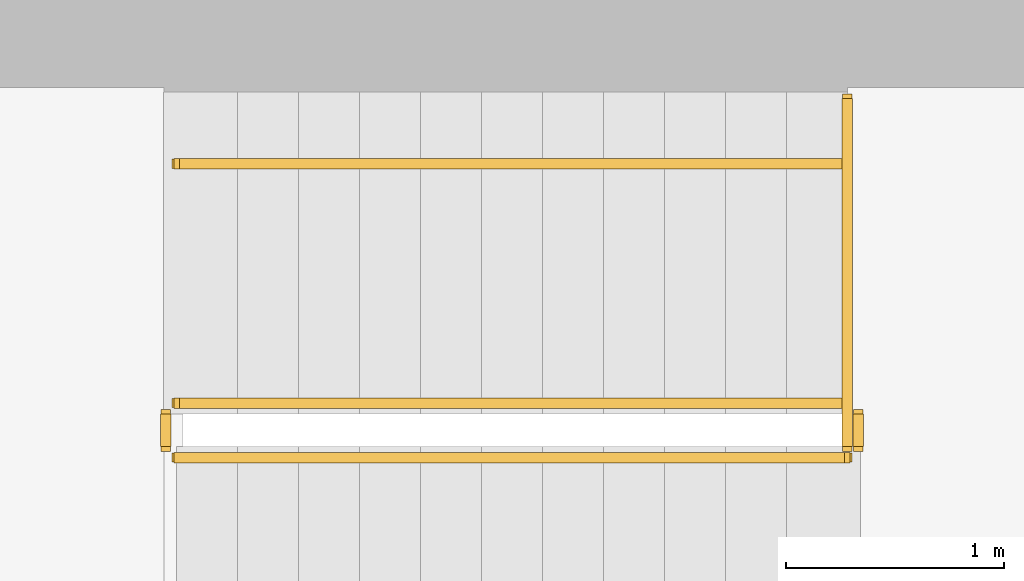
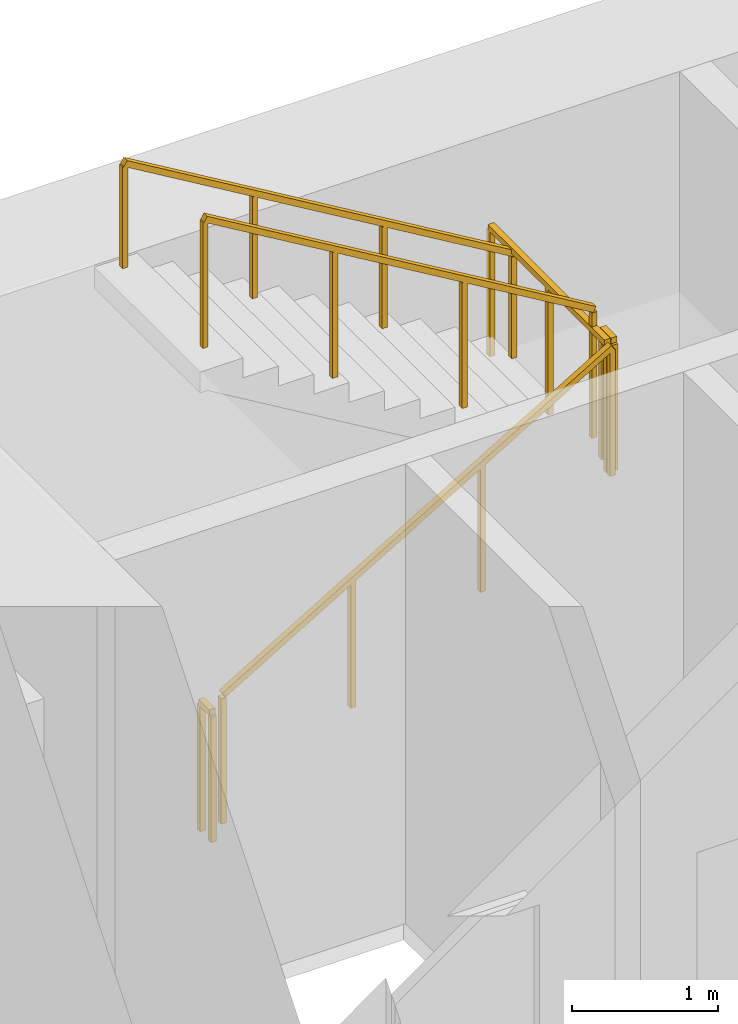
# One storey, part 15 of 16: 6 railings.
"""IFC4 building model written with IfcOpenShell, lengths in metres."""

from ifc_helpers import new_model, si_unit, direction, frame, origin, origin_2d, place, context, subcontext, project, spatial, rectangle, extrude, material, type_object, element, save


model = new_model("IFC4")

# Units and contexts
model_context = context("Model", 3, precision=1e-05, world=origin(), true_north=direction((0.0, 1.0)))
body_context = subcontext(model_context, "Body", "Model", "MODEL_VIEW")
ifc_project = project(units=[si_unit("LENGTHUNIT", "METRE"), si_unit("AREAUNIT", "SQUARE_METRE"), si_unit("VOLUMEUNIT", "CUBIC_METRE"), si_unit("PLANEANGLEUNIT", "RADIAN"), si_unit("MASSUNIT", "GRAM", prefix="KILO")], contexts=[model_context])

# Site, building, storey
site_placement = place(None, origin())
site = spatial("IfcSite", under=ifc_project, at=site_placement, CompositionType="ELEMENT")
building_placement = place(site_placement, origin())
building = spatial("IfcBuilding", under=site, at=building_placement, Name="Sennacour Bend Tower", CompositionType="ELEMENT")
storey_placement = place(building_placement, frame((0.0, 0.0, 163.0)))
storey = spatial("IfcBuildingStorey", under=building, at=storey_placement, Name="L37", CompositionType="ELEMENT", Elevation=163.0)

# Railings
ifc_material = material(Name="Stainless steel", Category="steel")
railing_type_1 = type_object("IfcRailingType", Name="RL-GUARD-1100", PredefinedType="GUARDRAIL", material=ifc_material)
railing_1_placement = place(storey_placement, frame((56.699951171875, 19.85009765625, 0.166748046875)))
element("IfcRailing", 1, at=railing_1_placement, inside=storey, type_object=railing_type_1, Name="L37 SA2 stair guard 1", PredefinedType="GUARDRAIL", context=body_context, shape_type="SweptSolid", body=[
    extrude(rectangle(XDim=0.048095703125, YDim=0.048095703125, at=origin_2d()), frame((0.0, 0.0, 1.076171875), z_axis=(0.859308565015, 0.0, 0.511457515432), x_axis=(0.0, 1.0, 0.0)), (0.0, 0.0, 1.0), 3.58447265625),
    extrude(rectangle(XDim=0.0419921875, YDim=0.0419921875, at=origin_2d()), origin(), (0.0, 0.0, 1.0), 1.052001953125),
    extrude(rectangle(XDim=0.0419921875, YDim=0.0419921875, at=origin_2d()), frame((1.026611328125, 0.0, 0.611083984375)), (0.0, 0.0, 1.0), 1.052001953125),
    extrude(rectangle(XDim=0.0419921875, YDim=0.0419921875, at=origin_2d()), frame((2.053466796875, 0.0, 1.22216796875)), (0.0, 0.0, 1.0), 1.052001953125),
    extrude(rectangle(XDim=0.0419921875, YDim=0.0419921875, at=origin_2d()), frame((3.080078125, 0.0, 1.833251953125)), (0.0, 0.0, 1.0), 1.052001953125),
])
railing_2_placement = place(storey_placement, frame((59.830078125, 19.89990234375, 2.0)))
element("IfcRailing", 2, at=railing_2_placement, inside=storey, type_object=railing_type_1, Name="L37 SA2 stair guard 2", PredefinedType="GUARDRAIL", context=body_context, shape_type="SweptSolid", body=[
    extrude(rectangle(XDim=0.048095703125, YDim=0.048095703125, at=origin_2d()), frame((0.0, 0.0, 1.076171875), z_axis=(0.0, 1.0, 0.0), x_axis=(-1.0, 0.0, 0.0)), (0.0, 0.0, 1.0), 0.150146484375),
    extrude(rectangle(XDim=0.0419921875, YDim=0.0419921875, at=origin_2d()), origin(), (0.0, 0.0, 1.0), 1.052001953125),
    extrude(rectangle(XDim=0.0419921875, YDim=0.0419921875, at=origin_2d()), frame((0.0, 0.150146484375, 0.0)), (0.0, 0.0, 1.0), 1.052001953125),
])
railing_3_placement = place(storey_placement, frame((59.780029296875, 20.10009765625, 2.166748046875)))
element("IfcRailing", 3, at=railing_3_placement, inside=storey, type_object=railing_type_1, Name="L37 SA2 stair guard 4", PredefinedType="GUARDRAIL", context=body_context, shape_type="SweptSolid", body=[
    extrude(rectangle(XDim=0.048095703125, YDim=0.048095703125, at=origin_2d()), frame((0.0, 0.0, 1.076171875), z_axis=(-0.859308565015, 0.0, 0.511457515432), x_axis=(0.0, -1.0, 0.0)), (0.0, 0.0, 1.0), 3.58447265625),
    extrude(rectangle(XDim=0.0419921875, YDim=0.0419921875, at=origin_2d()), origin(), (0.0, 0.0, 1.0), 1.052001953125),
    extrude(rectangle(XDim=0.0419921875, YDim=0.0419921875, at=origin_2d()), frame((-1.026611328125, 0.0, 0.611083984375)), (0.0, 0.0, 1.0), 1.052001953125),
    extrude(rectangle(XDim=0.0419921875, YDim=0.0419921875, at=origin_2d()), frame((-2.053466796875, 0.0, 1.22216796875)), (0.0, 0.0, 1.0), 1.052001953125),
    extrude(rectangle(XDim=0.0419921875, YDim=0.0419921875, at=origin_2d()), frame((-3.080078125, 0.0, 1.833251953125)), (0.0, 0.0, 1.0), 1.052001953125),
])
railing_4_placement = place(storey_placement, frame((56.64990234375, 19.89990234375, 0.0)))
element("IfcRailing", 4, at=railing_4_placement, inside=storey, type_object=railing_type_1, Name="L37 SA2 stair guard 5", PredefinedType="GUARDRAIL", context=body_context, shape_type="SweptSolid", body=[
    extrude(rectangle(XDim=0.048095703125, YDim=0.048095703125, at=origin_2d()), frame((0.0, 0.0, 1.076171875), z_axis=(0.0, 1.0, 0.0), x_axis=(-1.0, 0.0, 0.0)), (0.0, 0.0, 1.0), 0.150146484375),
    extrude(rectangle(XDim=0.0419921875, YDim=0.0419921875, at=origin_2d()), origin(), (0.0, 0.0, 1.0), 1.052001953125),
    extrude(rectangle(XDim=0.0419921875, YDim=0.0419921875, at=origin_2d()), frame((0.0, 0.150146484375, 0.0)), (0.0, 0.0, 1.0), 1.052001953125),
])
railing_5_placement = place(storey_placement, frame((59.780029296875, 19.89990234375, 2.0)))
element("IfcRailing", 5, at=railing_5_placement, inside=storey, type_object=railing_type_1, Name="L37 SA2 landing edge guard 52", PredefinedType="GUARDRAIL", context=body_context, shape_type="SweptSolid", body=[
    extrude(rectangle(XDim=0.048095703125, YDim=0.048095703125, at=origin_2d()), frame((0.0, 0.0, 1.076171875), z_axis=(0.0, 1.0, 0.0), x_axis=(-1.0, 0.0, 0.0)), (0.0, 0.0, 1.0), 1.60009765625),
    extrude(rectangle(XDim=0.0419921875, YDim=0.0419921875, at=origin_2d()), origin(), (0.0, 0.0, 1.0), 1.052001953125),
    extrude(rectangle(XDim=0.0419921875, YDim=0.0419921875, at=origin_2d()), frame((0.0, 0.800048828125, 0.0)), (0.0, 0.0, 1.0), 1.052001953125),
    extrude(rectangle(XDim=0.0419921875, YDim=0.0419921875, at=origin_2d()), frame((0.0, 1.60009765625, 0.0)), (0.0, 0.0, 1.0), 1.052001953125),
])
railing_type_2 = type_object("IfcRailingType", Name="RL-HANDRAIL-900", PredefinedType="HANDRAIL", material=ifc_material)
railing_6_placement = place(storey_placement, frame((59.780029296875, 21.199951171875, 2.166748046875)))
element("IfcRailing", 6, at=railing_6_placement, inside=storey, type_object=railing_type_2, Name="L37 SA2 stair handrail 2", PredefinedType="HANDRAIL", context=body_context, shape_type="SweptSolid", body=[
    extrude(rectangle(XDim=0.048095703125, YDim=0.048095703125, at=origin_2d()), frame((0.0, 0.0, 0.8759765625), z_axis=(-0.859308565015, 0.0, 0.511457515432), x_axis=(0.0, -1.0, 0.0)), (0.0, 0.0, 1.0), 3.58447265625),
    extrude(rectangle(XDim=0.0419921875, YDim=0.0419921875, at=origin_2d()), origin(), (0.0, 0.0, 1.0), 0.851806640625),
    extrude(rectangle(XDim=0.0419921875, YDim=0.0419921875, at=origin_2d()), frame((-1.026611328125, 0.0, 0.611083984375)), (0.0, 0.0, 1.0), 0.851806640625),
    extrude(rectangle(XDim=0.0419921875, YDim=0.0419921875, at=origin_2d()), frame((-2.053466796875, 0.0, 1.22216796875)), (0.0, 0.0, 1.0), 0.851806640625),
    extrude(rectangle(XDim=0.0419921875, YDim=0.0419921875, at=origin_2d()), frame((-3.080078125, 0.0, 1.833251953125)), (0.0, 0.0, 1.0), 0.851806640625),
])

save(model, "model.ifc")
